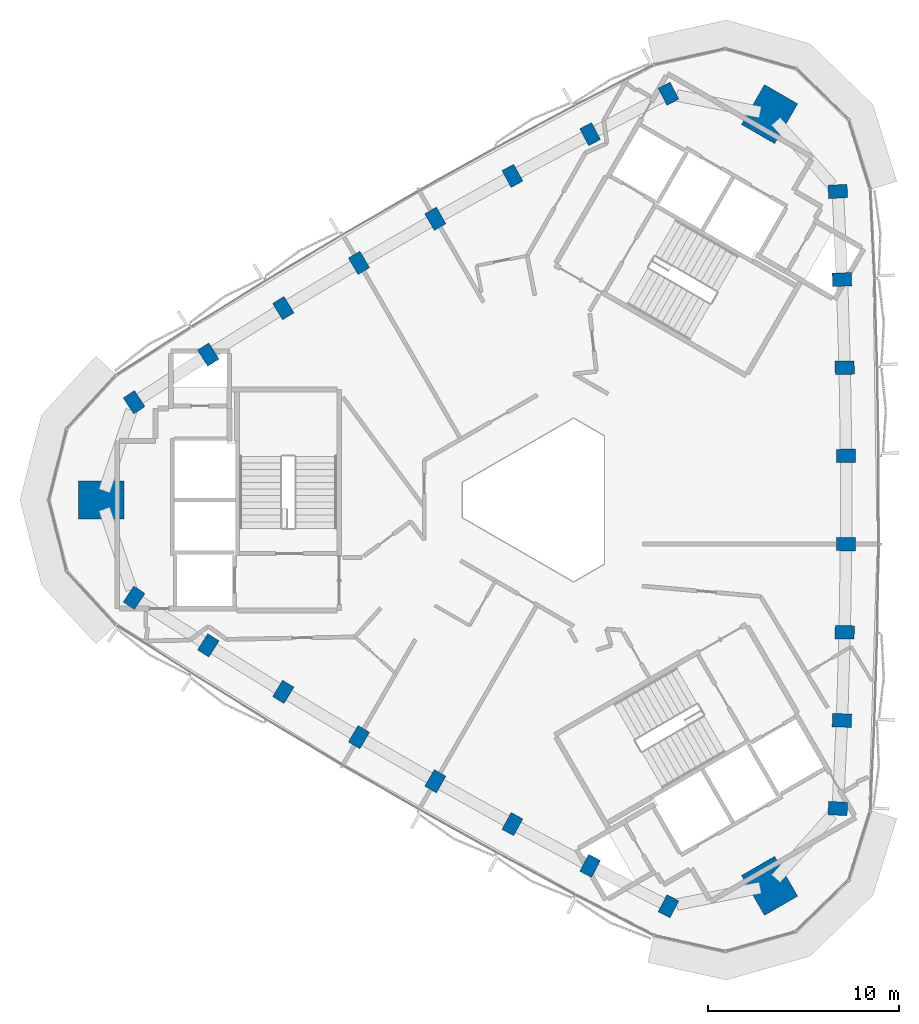
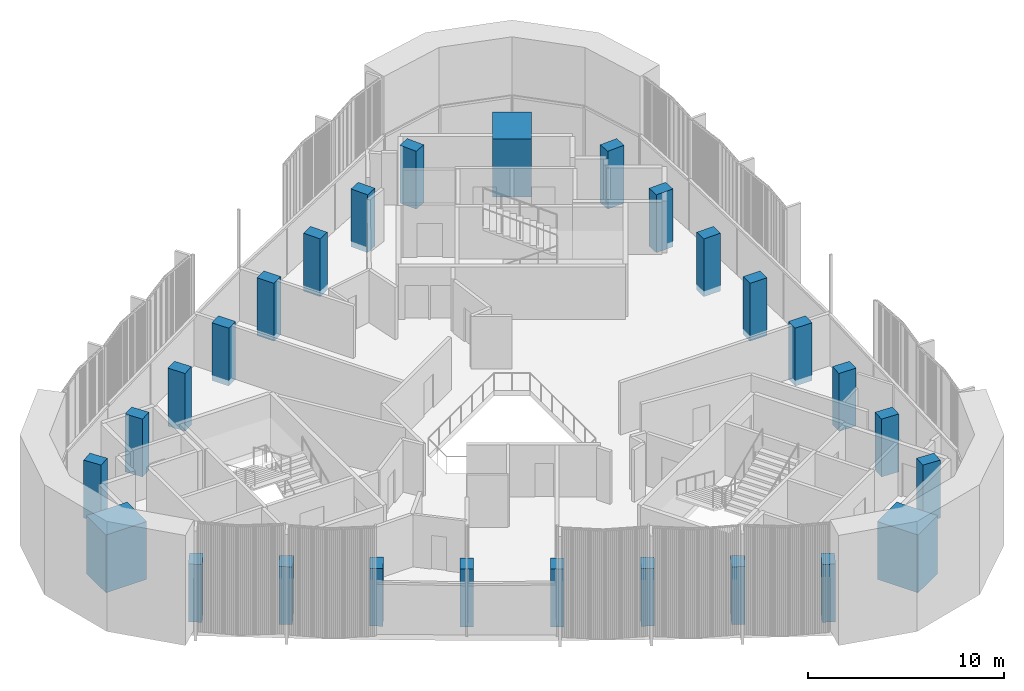
# One storey, part 1 of 13: 27 columns.
"""IFC4 building model written with IfcOpenShell, lengths in metres."""

from ifc_helpers import new_model, si_unit, direction, frame, origin, origin_2d, place, context, subcontext, project, spatial, rectangle, extrude, material, material_profile, profile_set, type_object, element, save


model = new_model("IFC4")

# Units and contexts
model_context = context("Model", 3, precision=1e-05, world=origin(), true_north=direction((0.0, 1.0)))
body_context = subcontext(model_context, "Body", "Model", "MODEL_VIEW")
ifc_project = project(units=[si_unit("LENGTHUNIT", "METRE"), si_unit("AREAUNIT", "SQUARE_METRE"), si_unit("VOLUMEUNIT", "CUBIC_METRE"), si_unit("PLANEANGLEUNIT", "RADIAN"), si_unit("MASSUNIT", "GRAM", prefix="KILO")], contexts=[model_context])

# Site, building, storey
site_placement = place(None, origin())
site = spatial("IfcSite", under=ifc_project, at=site_placement, CompositionType="ELEMENT")
building_placement = place(site_placement, origin())
building = spatial("IfcBuilding", under=site, at=building_placement, Name="Tamra Quay Hotel Tower", CompositionType="ELEMENT")
storey_placement = place(building_placement, frame((0.0, 0.0, 291.0)))
storey = spatial("IfcBuildingStorey", under=building, at=storey_placement, Name="L73", CompositionType="ELEMENT", Elevation=291.0)

# Columns
ifc_material = material(Name="Concrete M70", Category="concrete")
ifc_material_profile_1 = material_profile(ifc_material, rectangle(XDim=1.0, YDim=0.699951171875, at=origin_2d()), Name="COLUMN RC 700x1000 Z6")
ifc_profile_set_1 = profile_set([ifc_material_profile_1], Name="Concrete M70")
column_type_1 = type_object("IfcColumnType", Name="COLUMN RC 700x1000 Z6", PredefinedType="COLUMN", material=ifc_profile_set_1)
for number, where, z_axis, x_axis, name in (
    (1, (15.202392578125, -16.116943359375, -0.35009765625), (0.0, 0.0, 1.0), (-0.998490919119, 0.05491706873, 0.0), "COL-C6E01-L73"),
    (2, (15.418212890625, -11.51513671875, -0.35009765625), (0.0, 0.0, 1.0), (-0.999251212442, 0.03869127076, 0.0), "COL-C6E02-L73"),
    (3, (15.56201171875, -6.909912109375, -0.35009765625), (0.0, 0.0, 1.0), (-0.999717847188, 0.023753442163, 0.0), "COL-C6E03-L73"),
    (4, (15.634033203125, -2.303466796875, -0.35009765625), (0.0, 0.0, 1.0), (-0.999968634555, 0.007920221337, 0.0), "COL-C6E04-L73"),
    (5, (15.634033203125, 2.303466796875, -0.35009765625), (0.0, 0.0, 1.0), (0.999968634555, 0.007920221337, 0.0), "COL-C6E05-L73"),
    (6, (15.56201171875, 6.909912109375, -0.35009765625), (0.0, 0.0, 1.0), (0.999717847188, 0.023753442163, 0.0), "COL-C6E06-L73"),
    (7, (15.418212890625, 11.51513671875, -0.35009765625), (0.0, 0.0, 1.0), (0.999251212442, 0.03869127076, 0.0), "COL-C6E07-L73"),
    (8, (15.202392578125, 16.116943359375, -0.35009765625), (0.0, 0.0, 1.0), (0.998490919119, 0.05491706873, 0.0), "COL-C6E08-L73"),
    (9, (6.3564453125, 21.22412109375, -0.35009765625), (0.0, 0.0, 1.0), (-0.451685882938, 0.89217703577, 0.0), "COL-C6NW01-L73"),
    (10, (2.26318359375, 19.110107421875, -0.35009765625), (0.0, 0.0, 1.0), (-0.466117982839, 0.884722570117, 0.0), "COL-C6NW02-L73"),
    (11, (-1.796875, 16.93212890625, -0.35009765625), (0.0, 0.0, 1.0), (-0.479287839253, 0.877657773363, 0.0), "COL-C6NW03-L73"),
    (12, (-5.822265625, 14.69140625, -0.35009765625), (0.0, 0.0, 1.0), (-0.493125204396, 0.869958351181, 0.0), "COL-C6NW04-L73"),
    (13, (-9.81201171875, 12.3876953125, -0.35009765625), (0.0, 0.0, 1.0), (-0.506843430159, 0.862038129844, 0.0), "COL-C6NW05-L73"),
    (14, (-13.765380859375, 10.022216796875, -0.35009765625), (0.0, 0.0, 1.0), (-0.520430007934, 0.8539043312, 0.0), "COL-C6NW06-L73"),
    (15, (-17.681396484375, 7.594970703125, -0.35009765625), (0.0, 0.0, 1.0), (-0.533133229604, 0.846031299357, 0.0), "COL-C6NW07-L73"),
    (16, (-21.558837890625, 5.107421875, -0.35009765625), (0.0, 0.0, 1.0), (-0.546805036181, 0.83725996704, 0.0), "COL-C6NW08-L73"),
    (17, (-21.558837890625, -5.107421875, -0.35009765625), (0.0, 0.0, 1.0), (0.546805036181, 0.83725996704, 0.0), "COL-C6SW01-L73"),
    (18, (-17.681396484375, -7.594970703125, -0.35009765625), (0.0, 0.0, 1.0), (0.533133229604, 0.846031299357, 0.0), "COL-C6SW02-L73"),
    (19, (-13.765380859375, -10.022216796875, -0.35009765625), (0.0, 0.0, 1.0), (0.520430007934, 0.8539043312, 0.0), "COL-C6SW03-L73"),
    (20, (-9.81201171875, -12.3876953125, -0.35009765625), (0.0, 0.0, 1.0), (0.506843430159, 0.862038129844, 0.0), "COL-C6SW04-L73"),
    (21, (-5.822265625, -14.69140625, -0.35009765625), (0.0, 0.0, 1.0), (0.493125204396, 0.869958351181, 0.0), "COL-C6SW05-L73"),
    (22, (-1.796875, -16.93212890625, -0.35009765625), (0.0, 0.0, 1.0), (0.479287839253, 0.877657773363, 0.0), "COL-C6SW06-L73"),
    (23, (2.26318359375, -19.110107421875, -0.35009765625), (0.0, 0.0, 1.0), (0.466117982839, 0.884722570117, 0.0), "COL-C6SW07-L73"),
    (24, (6.3564453125, -21.22412109375, -0.35009765625), (0.0, 0.0, 1.0), (0.451685882938, 0.89217703577, 0.0), "COL-C6SW08-L73"),
):
    element("IfcColumn", number, at=place(storey_placement, frame(where, z_axis=z_axis, x_axis=x_axis)), inside=storey, type_object=column_type_1, Name=name, PredefinedType="COLUMN", context=body_context, shape_type="SweptSolid", body=[
        extrude(rectangle(XDim=1.0, YDim=0.699951171875, at=origin_2d()), origin(), (0.0, 0.0, 1.0), 3.60009765625),
    ])
ifc_material_profile_2 = material_profile(ifc_material, rectangle(XDim=2.39990234375, YDim=2.0, at=origin_2d()), Name="MEGA COLUMN RC 2000x2400 Z6")
ifc_profile_set_2 = profile_set([ifc_material_profile_2], Name="Concrete M70")
column_type_2 = type_object("IfcColumnType", Name="MEGA COLUMN RC 2000x2400 Z6", PredefinedType="COLUMN", material=ifc_profile_set_2)
for number, where, z_axis, x_axis, name in (
    (25, (11.63671875, 20.1552734375, -0.35009765625), (0.0, 0.0, 1.0), (0.5, 0.866025403784, 0.0), "COL-M6NE-L73"),
    (26, (-23.2734375, 0.0, -0.35009765625), (0.0, 0.0, 1.0), (1.0, 0.0, 0.0), "COL-M6W-L73"),
    (27, (11.63671875, -20.1552734375, -0.35009765625), (0.0, 0.0, 1.0), (-0.5, 0.866025403784, 0.0), "COL-M6SE-L73"),
):
    element("IfcColumn", number, at=place(storey_placement, frame(where, z_axis=z_axis, x_axis=x_axis)), inside=storey, type_object=column_type_2, Name=name, PredefinedType="COLUMN", context=body_context, shape_type="SweptSolid", body=[
        extrude(rectangle(XDim=2.39990234375, YDim=2.0, at=origin_2d()), origin(), (0.0, 0.0, 1.0), 3.60009765625),
    ])

save(model, "model.ifc")
